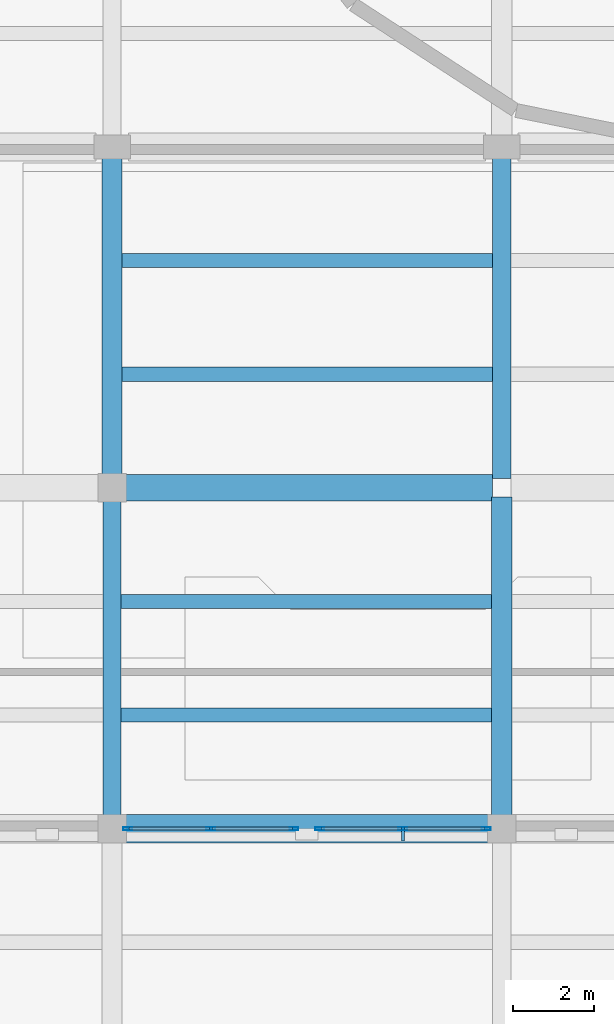
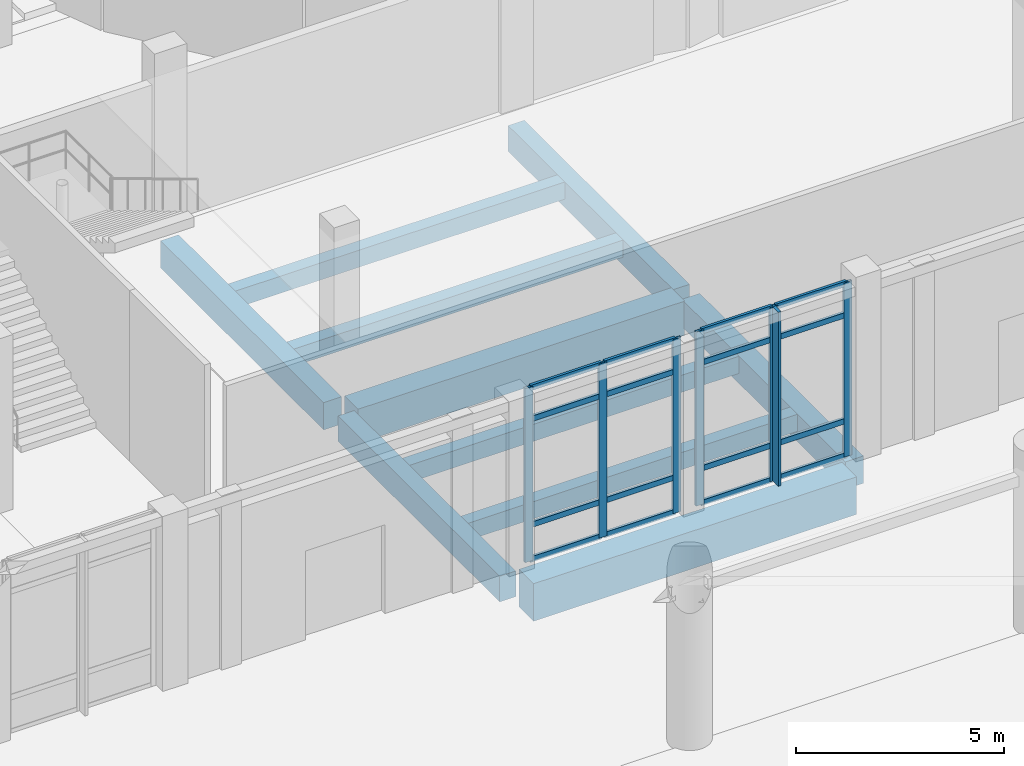
# One storey, part 22 of 71: 23 members, 10 beams, 2 elements without a shape of their own.
"""IFC4 building model written with IfcOpenShell, lengths in metres."""

from ifc_helpers import new_model, si_unit, direction, frame, origin, origin_2d, place, context, subcontext, project, spatial, rectangle, hollow_rectangle, extrude, material, layer, layer_set, material_profile, profile_set, type_object, element, aggregate, save


model = new_model("IFC4")

# Units and contexts
model_context = context("Model", 3, precision=1e-05, world=origin(), true_north=direction((0.0, 1.0)))
body_context = subcontext(model_context, "Body", "Model", "MODEL_VIEW")
ifc_project = project(units=[si_unit("LENGTHUNIT", "METRE"), si_unit("AREAUNIT", "SQUARE_METRE"), si_unit("VOLUMEUNIT", "CUBIC_METRE"), si_unit("PLANEANGLEUNIT", "RADIAN"), si_unit("MASSUNIT", "GRAM", prefix="KILO")], contexts=[model_context])

# Site, building, storey
site_placement = place(None, origin())
site = spatial("IfcSite", under=ifc_project, at=site_placement, CompositionType="ELEMENT")
building_placement = place(site_placement, origin())
building = spatial("IfcBuilding", under=site, at=building_placement, Name="Lornevale Opera House", CompositionType="ELEMENT")
storey_placement = place(building_placement, origin())
storey = spatial("IfcBuildingStorey", under=building, at=storey_placement, Name="L01", CompositionType="ELEMENT", Elevation=0.0)

# Beams
ifc_material_1 = material(Name="Concrete 35 MPa (CSA A23.1 N)", Category="concrete")
ifc_material_profile_1 = material_profile(ifc_material_1, rectangle(XDim=0.449951171875, YDim=0.75, at=origin_2d()), Name="RC450x750")
ifc_profile_set_1 = profile_set([ifc_material_profile_1], Name="Concrete 35 MPa (CSA A23.1 N)")
beam_type_1 = type_object("IfcBeamType", Name="Concrete Floor Beam 450x750", PredefinedType="USERDEFINED", material=ifc_profile_set_1)
beam_1_placement = place(storey_placement, frame((67.199951171875, 17.125, -0.81494140625), z_axis=(0.0, 1.0, 0.0), x_axis=(-1.0, 0.0, 0.0)))
element("IfcBeam", 1, at=beam_1_placement, inside=storey, type_object=beam_type_1, Name="Concrete Floor Beam 450x750 1161", ObjectType="GIRDER", PredefinedType="USERDEFINED", context=body_context, shape_type="SweptSolid", body=[
    extrude(rectangle(XDim=0.449951171875, YDim=0.75, at=origin_2d()), origin(), (0.0, 0.0, 1.0), 7.75),
])
beam_2_placement = place(storey_placement, frame((76.800048828125, 25.425048828125, -0.81494140625), z_axis=(0.0, 1.0, 0.0), x_axis=(-1.0, 0.0, 0.0)))
element("IfcBeam", 2, at=beam_2_placement, inside=storey, type_object=beam_type_1, Name="Concrete Floor Beam 450x750 1176", ObjectType="GIRDER", PredefinedType="USERDEFINED", context=body_context, shape_type="SweptSolid", body=[
    extrude(rectangle(XDim=0.449951171875, YDim=0.75, at=origin_2d()), origin(), (0.0, 0.0, 1.0), 7.925048828125),
])
ifc_material_profile_2 = material_profile(ifc_material_1, rectangle(XDim=0.5, YDim=0.800048828125, at=origin_2d()), Name="RC500x800")
ifc_profile_set_2 = profile_set([ifc_material_profile_2], Name="Concrete 35 MPa (CSA A23.1 N)")
beam_type_2 = type_object("IfcBeamType", Name="Concrete Floor Beam 500x800", PredefinedType="USERDEFINED", material=ifc_profile_set_2)
beam_3_placement = place(storey_placement, frame((67.199951171875, 25.52490234375, -0.840087890625), z_axis=(0.0, 1.0, 0.0), x_axis=(-1.0, 0.0, 0.0)))
element("IfcBeam", 3, at=beam_3_placement, inside=storey, type_object=beam_type_2, Name="Concrete Floor Beam 500x800 1162", ObjectType="GIRDER", PredefinedType="USERDEFINED", context=body_context, shape_type="SweptSolid", body=[
    extrude(rectangle(XDim=0.5, YDim=0.800048828125, at=origin_2d()), origin(), (0.0, 0.0, 1.0), 7.8251953125),
])
beam_4_placement = place(storey_placement, frame((76.800048828125, 17.125, -0.840087890625), z_axis=(0.0, 1.0, 0.0), x_axis=(-1.0, 0.0, 0.0)))
element("IfcBeam", 4, at=beam_4_placement, inside=storey, type_object=beam_type_2, Name="Concrete Floor Beam 500x800 1175", ObjectType="GIRDER", PredefinedType="USERDEFINED", context=body_context, shape_type="SweptSolid", body=[
    extrude(rectangle(XDim=0.5, YDim=0.800048828125, at=origin_2d()), origin(), (0.0, 0.0, 1.0), 7.85009765625),
])
ifc_material_2 = material(Name="Concrete 40 MPa (CSA A23.1 C-1)", Category="concrete")
ifc_material_profile_3 = material_profile(ifc_material_2, rectangle(XDim=0.64990234375, YDim=1.0, at=origin_2d()), Name="RC650x1000")
ifc_profile_set_3 = profile_set([ifc_material_profile_3], Name="Concrete 40 MPa (CSA A23.1 C-1)")
beam_type_3 = type_object("IfcBeamType", Name="Concrete Primary Girder 650x1000", PredefinedType="USERDEFINED", material=ifc_profile_set_3)
beam_5_placement = place(storey_placement, frame((67.52490234375, 25.199951171875, -0.93994140625), z_axis=(1.0, 0.0, 0.0), x_axis=(0.0, 1.0, 0.0)))
element("IfcBeam", 5, at=beam_5_placement, inside=storey, type_object=beam_type_3, Name="Concrete Primary Girder 650x1000 0896", ObjectType="GIRDER", PredefinedType="USERDEFINED", context=body_context, shape_type="SweptSolid", body=[
    extrude(rectangle(XDim=0.64990234375, YDim=1.0, at=origin_2d()), origin(), (0.0, 0.0, 1.0), 9.050048828125),
])
ifc_material_profile_4 = material_profile(ifc_material_2, rectangle(XDim=0.699951171875, YDim=1.10009765625, at=origin_2d()), Name="RC700x1100")
ifc_profile_set_4 = profile_set([ifc_material_profile_4], Name="Concrete 40 MPa (CSA A23.1 C-1)")
beam_type_4 = type_object("IfcBeamType", Name="Concrete Primary Girder 700x1100", PredefinedType="USERDEFINED", material=ifc_profile_set_4)
beam_6_placement = place(storey_placement, frame((67.52490234375, 16.800048828125, -0.989990234375), z_axis=(1.0, 0.0, 0.0), x_axis=(0.0, 1.0, 0.0)))
element("IfcBeam", 6, at=beam_6_placement, inside=storey, type_object=beam_type_4, Name="Concrete Primary Girder 700x1100 0879", ObjectType="GIRDER", PredefinedType="USERDEFINED", context=body_context, shape_type="SweptSolid", body=[
    extrude(rectangle(XDim=0.699951171875, YDim=1.10009765625, at=origin_2d()), origin(), (0.0, 0.0, 1.0), 8.9501953125),
])
ifc_material_profile_5 = material_profile(ifc_material_1, rectangle(XDim=0.35009765625, YDim=0.5, at=origin_2d()), Name="RC350x500")
ifc_profile_set_5 = profile_set([ifc_material_profile_5], Name="Concrete 35 MPa (CSA A23.1 N)")
beam_type_5 = type_object("IfcBeamType", Name="Concrete Secondary Rib 350x500", PredefinedType="JOIST", material=ifc_profile_set_5)
for number, where, z_axis, x_axis, name in (
    (7, (67.425048828125, 19.60009765625, -0.68994140625), (1.0, 0.0, 0.0), (0.0, 1.0, 0.0), "Concrete Secondary Rib 350x500 1465"),
    (8, (67.425048828125, 22.39990234375, -0.68994140625), (1.0, 0.0, 0.0), (0.0, 1.0, 0.0), "Concrete Secondary Rib 350x500 1466"),
    (9, (67.449951171875, 28.0, -0.68994140625), (1.0, 0.0, 0.0), (0.0, 1.0, 0.0), "Concrete Secondary Rib 350x500 1467"),
    (10, (67.449951171875, 30.800048828125, -0.68994140625), (1.0, 0.0, 0.0), (0.0, 1.0, 0.0), "Concrete Secondary Rib 350x500 1468"),
):
    element("IfcBeam", number, at=place(storey_placement, frame(where, z_axis=z_axis, x_axis=x_axis)), inside=storey, type_object=beam_type_5, Name=name, PredefinedType="JOIST", context=body_context, shape_type="SweptSolid", body=[
        extrude(rectangle(XDim=0.35009765625, YDim=0.5, at=origin_2d()), origin(), (0.0, 0.0, 1.0), 9.125),
    ])

# Curtain wall, members
ifc_material_3 = material(Name="Anodized Oxide-Green Aluminium Framing", Category="aluminium")
ifc_layer = layer(ifc_material_3, 0.215087890625)
ifc_layer_set = layer_set([ifc_layer], Name="Anodized Oxide-Green Aluminium Framing")
curtain_wall_type = type_object("IfcCurtainWallType", Name="Grand Foyer Curtain Wall M2000", PredefinedType="NOTDEFINED", material=ifc_layer_set)
curtain_wall_1_placement = place(storey_placement, origin())
curtain_wall_1 = element("IfcCurtainWall", 11, at=curtain_wall_1_placement, inside=storey, type_object=curtain_wall_type, Name="Grand Foyer Curtain Wall M2000 CW-013", PredefinedType="NOTDEFINED")
ifc_material_profile_6 = material_profile(ifc_material_3, hollow_rectangle(XDim=0.074951171875, YDim=0.219970703125, WallThickness=0.0048828125, at=origin_2d()), Name="ALU75x220x5")
ifc_profile_set_6 = profile_set([ifc_material_profile_6], Name="Anodized Oxide-Green Aluminium Framing")
member_type_1 = type_object("IfcMemberType", Name="Curtain Wall Mullion 75x220", PredefinedType="MULLION", material=ifc_profile_set_6)
member_1_placement = place(storey_placement, frame((76.41650390625, 16.800048828125, 0.0), z_axis=(0.0, 0.0, 1.0), x_axis=(0.0, -1.0, 0.0)))
member_1 = element("IfcMember", 12, at=member_1_placement, type_object=member_type_1, Name="Curtain Wall Mullion 75x220 CW0205", PredefinedType="MULLION", context=body_context, shape_type="SweptSolid", body=[
    extrude(hollow_rectangle(XDim=0.074951171875, YDim=0.219970703125, WallThickness=0.0048828125, at=origin_2d()), origin(), (0.0, 0.0, 1.0), 5.10009765625),
])
member_2_placement = place(storey_placement, frame((74.366943359375, 16.800048828125, 0.0), z_axis=(0.0, 0.0, 1.0), x_axis=(0.0, -1.0, 0.0)))
member_2 = element("IfcMember", 13, at=member_2_placement, type_object=member_type_1, Name="Curtain Wall Mullion 75x220 CW0206", PredefinedType="MULLION", context=body_context, shape_type="SweptSolid", body=[
    extrude(hollow_rectangle(XDim=0.074951171875, YDim=0.219970703125, WallThickness=0.0048828125, at=origin_2d()), origin(), (0.0, 0.0, 1.0), 5.10009765625),
])
member_3_placement = place(storey_placement, frame((72.3173828125, 16.800048828125, 0.0), z_axis=(0.0, 0.0, 1.0), x_axis=(0.0, -1.0, 0.0)))
member_3 = element("IfcMember", 14, at=member_3_placement, type_object=member_type_1, Name="Curtain Wall Mullion 75x220 CW0207", PredefinedType="MULLION", context=body_context, shape_type="SweptSolid", body=[
    extrude(hollow_rectangle(XDim=0.074951171875, YDim=0.219970703125, WallThickness=0.0048828125, at=origin_2d()), origin(), (0.0, 0.0, 1.0), 5.10009765625),
])

curtain_wall_2_placement = place(storey_placement, origin())
curtain_wall_2 = element("IfcCurtainWall", 15, at=curtain_wall_2_placement, inside=storey, type_object=curtain_wall_type, Name="Grand Foyer Curtain Wall M2000 CW-014", PredefinedType="NOTDEFINED")
member_4_placement = place(storey_placement, frame((71.6826171875, 16.800048828125, 0.0), z_axis=(0.0, 0.0, 1.0), x_axis=(0.0, -1.0, 0.0)))
member_4 = element("IfcMember", 16, at=member_4_placement, type_object=member_type_1, Name="Curtain Wall Mullion 75x220 CW0222", PredefinedType="MULLION", context=body_context, shape_type="SweptSolid", body=[
    extrude(hollow_rectangle(XDim=0.074951171875, YDim=0.219970703125, WallThickness=0.0048828125, at=origin_2d()), origin(), (0.0, 0.0, 1.0), 5.10009765625),
])
member_5_placement = place(storey_placement, frame((69.633056640625, 16.800048828125, 0.0), z_axis=(0.0, 0.0, 1.0), x_axis=(0.0, -1.0, 0.0)))
member_5 = element("IfcMember", 17, at=member_5_placement, type_object=member_type_1, Name="Curtain Wall Mullion 75x220 CW0223", PredefinedType="MULLION", context=body_context, shape_type="SweptSolid", body=[
    extrude(hollow_rectangle(XDim=0.074951171875, YDim=0.219970703125, WallThickness=0.0048828125, at=origin_2d()), origin(), (0.0, 0.0, 1.0), 5.10009765625),
])
member_6_placement = place(storey_placement, frame((67.58349609375, 16.800048828125, 0.0), z_axis=(0.0, 0.0, 1.0), x_axis=(0.0, -1.0, 0.0)))
member_6 = element("IfcMember", 18, at=member_6_placement, type_object=member_type_1, Name="Curtain Wall Mullion 75x220 CW0224", PredefinedType="MULLION", context=body_context, shape_type="SweptSolid", body=[
    extrude(hollow_rectangle(XDim=0.074951171875, YDim=0.219970703125, WallThickness=0.0048828125, at=origin_2d()), origin(), (0.0, 0.0, 1.0), 5.10009765625),
])

# Member
ifc_material_profile_7 = material_profile(ifc_material_3, hollow_rectangle(XDim=0.074951171875, YDim=0.159912109375, WallThickness=0.0048828125, at=origin_2d()), Name="ALU75x160x5")
ifc_profile_set_7 = profile_set([ifc_material_profile_7], Name="Anodized Oxide-Green Aluminium Framing")
member_type_2 = type_object("IfcMemberType", Name="Curtain Wall Transom 75x160", PredefinedType="USERDEFINED", material=ifc_profile_set_7)
member_7_placement = place(storey_placement, frame((76.37890625, 16.800048828125, 0.03759765625), z_axis=(-1.0, 0.0, 0.0), x_axis=(0.0, -1.0, 0.0)))
member_7 = element("IfcMember", 19, at=member_7_placement, type_object=member_type_2, Name="Curtain Wall Transom 75x160 CW0208", ObjectType="TRANSOM", PredefinedType="USERDEFINED", context=body_context, shape_type="SweptSolid", body=[
    extrude(hollow_rectangle(XDim=0.074951171875, YDim=0.159912109375, WallThickness=0.0048828125, at=origin_2d()), origin(), (0.0, 0.0, 1.0), 1.974365234375),
])

member_8_placement = place(storey_placement, frame((76.37890625, 16.800048828125, 1.050048828125), z_axis=(-1.0, 0.0, 0.0), x_axis=(0.0, -1.0, 0.0)))
member_8 = element("IfcMember", 20, at=member_8_placement, type_object=member_type_2, Name="Curtain Wall Transom 75x160 CW0209", ObjectType="TRANSOM", PredefinedType="USERDEFINED", context=body_context, shape_type="SweptSolid", body=[
    extrude(hollow_rectangle(XDim=0.074951171875, YDim=0.159912109375, WallThickness=0.0048828125, at=origin_2d()), origin(), (0.0, 0.0, 1.0), 1.974365234375),
])

member_9_placement = place(storey_placement, frame((76.37890625, 16.800048828125, 4.14990234375), z_axis=(-1.0, 0.0, 0.0), x_axis=(0.0, -1.0, 0.0)))
member_9 = element("IfcMember", 21, at=member_9_placement, type_object=member_type_2, Name="Curtain Wall Transom 75x160 CW0210", ObjectType="TRANSOM", PredefinedType="USERDEFINED", context=body_context, shape_type="SweptSolid", body=[
    extrude(hollow_rectangle(XDim=0.074951171875, YDim=0.159912109375, WallThickness=0.0048828125, at=origin_2d()), origin(), (0.0, 0.0, 1.0), 1.974365234375),
])

member_10_placement = place(storey_placement, frame((76.37890625, 16.800048828125, 5.0625), z_axis=(-1.0, 0.0, 0.0), x_axis=(0.0, -1.0, 0.0)))
member_10 = element("IfcMember", 22, at=member_10_placement, type_object=member_type_2, Name="Curtain Wall Transom 75x160 CW0211", ObjectType="TRANSOM", PredefinedType="USERDEFINED", context=body_context, shape_type="SweptSolid", body=[
    extrude(hollow_rectangle(XDim=0.074951171875, YDim=0.159912109375, WallThickness=0.0048828125, at=origin_2d()), origin(), (0.0, 0.0, 1.0), 1.974365234375),
])

member_11_placement = place(storey_placement, frame((74.32958984375, 16.800048828125, 0.03759765625), z_axis=(-1.0, 0.0, 0.0), x_axis=(0.0, -1.0, 0.0)))
member_11 = element("IfcMember", 23, at=member_11_placement, type_object=member_type_2, Name="Curtain Wall Transom 75x160 CW0215", ObjectType="TRANSOM", PredefinedType="USERDEFINED", context=body_context, shape_type="SweptSolid", body=[
    extrude(hollow_rectangle(XDim=0.074951171875, YDim=0.159912109375, WallThickness=0.0048828125, at=origin_2d()), origin(), (0.0, 0.0, 1.0), 1.974609375),
])

member_12_placement = place(storey_placement, frame((74.32958984375, 16.800048828125, 1.050048828125), z_axis=(-1.0, 0.0, 0.0), x_axis=(0.0, -1.0, 0.0)))
member_12 = element("IfcMember", 24, at=member_12_placement, type_object=member_type_2, Name="Curtain Wall Transom 75x160 CW0216", ObjectType="TRANSOM", PredefinedType="USERDEFINED", context=body_context, shape_type="SweptSolid", body=[
    extrude(hollow_rectangle(XDim=0.074951171875, YDim=0.159912109375, WallThickness=0.0048828125, at=origin_2d()), origin(), (0.0, 0.0, 1.0), 1.974609375),
])

member_13_placement = place(storey_placement, frame((74.32958984375, 16.800048828125, 4.14990234375), z_axis=(-1.0, 0.0, 0.0), x_axis=(0.0, -1.0, 0.0)))
member_13 = element("IfcMember", 25, at=member_13_placement, type_object=member_type_2, Name="Curtain Wall Transom 75x160 CW0217", ObjectType="TRANSOM", PredefinedType="USERDEFINED", context=body_context, shape_type="SweptSolid", body=[
    extrude(hollow_rectangle(XDim=0.074951171875, YDim=0.159912109375, WallThickness=0.0048828125, at=origin_2d()), origin(), (0.0, 0.0, 1.0), 1.974609375),
])

member_14_placement = place(storey_placement, frame((74.32958984375, 16.800048828125, 5.0625), z_axis=(-1.0, 0.0, 0.0), x_axis=(0.0, -1.0, 0.0)))
member_14 = element("IfcMember", 26, at=member_14_placement, type_object=member_type_2, Name="Curtain Wall Transom 75x160 CW0218", ObjectType="TRANSOM", PredefinedType="USERDEFINED", context=body_context, shape_type="SweptSolid", body=[
    extrude(hollow_rectangle(XDim=0.074951171875, YDim=0.159912109375, WallThickness=0.0048828125, at=origin_2d()), origin(), (0.0, 0.0, 1.0), 1.974609375),
])

member_15_placement = place(storey_placement, frame((71.64501953125, 16.800048828125, 0.03759765625), z_axis=(-1.0, 0.0, 0.0), x_axis=(0.0, -1.0, 0.0)))
member_15 = element("IfcMember", 27, at=member_15_placement, type_object=member_type_2, Name="Curtain Wall Transom 75x160 CW0225", ObjectType="TRANSOM", PredefinedType="USERDEFINED", context=body_context, shape_type="SweptSolid", body=[
    extrude(hollow_rectangle(XDim=0.074951171875, YDim=0.159912109375, WallThickness=0.0048828125, at=origin_2d()), origin(), (0.0, 0.0, 1.0), 1.974609375),
])

member_16_placement = place(storey_placement, frame((71.64501953125, 16.800048828125, 1.050048828125), z_axis=(-1.0, 0.0, 0.0), x_axis=(0.0, -1.0, 0.0)))
member_16 = element("IfcMember", 28, at=member_16_placement, type_object=member_type_2, Name="Curtain Wall Transom 75x160 CW0226", ObjectType="TRANSOM", PredefinedType="USERDEFINED", context=body_context, shape_type="SweptSolid", body=[
    extrude(hollow_rectangle(XDim=0.074951171875, YDim=0.159912109375, WallThickness=0.0048828125, at=origin_2d()), origin(), (0.0, 0.0, 1.0), 1.974609375),
])

member_17_placement = place(storey_placement, frame((71.64501953125, 16.800048828125, 4.14990234375), z_axis=(-1.0, 0.0, 0.0), x_axis=(0.0, -1.0, 0.0)))
member_17 = element("IfcMember", 29, at=member_17_placement, type_object=member_type_2, Name="Curtain Wall Transom 75x160 CW0227", ObjectType="TRANSOM", PredefinedType="USERDEFINED", context=body_context, shape_type="SweptSolid", body=[
    extrude(hollow_rectangle(XDim=0.074951171875, YDim=0.159912109375, WallThickness=0.0048828125, at=origin_2d()), origin(), (0.0, 0.0, 1.0), 1.974609375),
])

member_18_placement = place(storey_placement, frame((71.64501953125, 16.800048828125, 5.0625), z_axis=(-1.0, 0.0, 0.0), x_axis=(0.0, -1.0, 0.0)))
member_18 = element("IfcMember", 30, at=member_18_placement, type_object=member_type_2, Name="Curtain Wall Transom 75x160 CW0228", ObjectType="TRANSOM", PredefinedType="USERDEFINED", context=body_context, shape_type="SweptSolid", body=[
    extrude(hollow_rectangle(XDim=0.074951171875, YDim=0.159912109375, WallThickness=0.0048828125, at=origin_2d()), origin(), (0.0, 0.0, 1.0), 1.974609375),
])

member_19_placement = place(storey_placement, frame((69.595458984375, 16.800048828125, 0.03759765625), z_axis=(-1.0, 0.0, 0.0), x_axis=(0.0, -1.0, 0.0)))
member_19 = element("IfcMember", 31, at=member_19_placement, type_object=member_type_2, Name="Curtain Wall Transom 75x160 CW0232", ObjectType="TRANSOM", PredefinedType="USERDEFINED", context=body_context, shape_type="SweptSolid", body=[
    extrude(hollow_rectangle(XDim=0.074951171875, YDim=0.159912109375, WallThickness=0.0048828125, at=origin_2d()), origin(), (0.0, 0.0, 1.0), 1.974365234375),
])

member_20_placement = place(storey_placement, frame((69.595458984375, 16.800048828125, 1.050048828125), z_axis=(-1.0, 0.0, 0.0), x_axis=(0.0, -1.0, 0.0)))
member_20 = element("IfcMember", 32, at=member_20_placement, type_object=member_type_2, Name="Curtain Wall Transom 75x160 CW0233", ObjectType="TRANSOM", PredefinedType="USERDEFINED", context=body_context, shape_type="SweptSolid", body=[
    extrude(hollow_rectangle(XDim=0.074951171875, YDim=0.159912109375, WallThickness=0.0048828125, at=origin_2d()), origin(), (0.0, 0.0, 1.0), 1.974365234375),
])

member_21_placement = place(storey_placement, frame((69.595458984375, 16.800048828125, 4.14990234375), z_axis=(-1.0, 0.0, 0.0), x_axis=(0.0, -1.0, 0.0)))
member_21 = element("IfcMember", 33, at=member_21_placement, type_object=member_type_2, Name="Curtain Wall Transom 75x160 CW0234", ObjectType="TRANSOM", PredefinedType="USERDEFINED", context=body_context, shape_type="SweptSolid", body=[
    extrude(hollow_rectangle(XDim=0.074951171875, YDim=0.159912109375, WallThickness=0.0048828125, at=origin_2d()), origin(), (0.0, 0.0, 1.0), 1.974365234375),
])

member_22_placement = place(storey_placement, frame((69.595458984375, 16.800048828125, 5.0625), z_axis=(-1.0, 0.0, 0.0), x_axis=(0.0, -1.0, 0.0)))
member_22 = element("IfcMember", 34, at=member_22_placement, type_object=member_type_2, Name="Curtain Wall Transom 75x160 CW0235", ObjectType="TRANSOM", PredefinedType="USERDEFINED", context=body_context, shape_type="SweptSolid", body=[
    extrude(hollow_rectangle(XDim=0.074951171875, YDim=0.159912109375, WallThickness=0.0048828125, at=origin_2d()), origin(), (0.0, 0.0, 1.0), 1.974365234375),
])

aggregate(curtain_wall_2, [member_4, member_5, member_6, member_15, member_16, member_17, member_18, member_19, member_20, member_21, member_22])

ifc_material_4 = material(Name="Architectural Bronze Solar Louvre Alloy", Category="metal")
ifc_material_profile_8 = material_profile(ifc_material_4, rectangle(XDim=0.080078125, YDim=0.360107421875, at=origin_2d()), Name="FIN80x360")
ifc_profile_set_8 = profile_set([ifc_material_profile_8], Name="Architectural Bronze Solar Louvre Alloy")
member_type_3 = type_object("IfcMemberType", Name="Solar Shading Fin 80x360", PredefinedType="USERDEFINED", material=ifc_profile_set_8)
member_23_placement = place(storey_placement, frame((74.366943359375, 16.674072265625, 0.0), z_axis=(0.0, 0.0, 1.0), x_axis=(-1.0, 0.0, 0.0)))
member_23 = element("IfcMember", 35, at=member_23_placement, type_object=member_type_3, Name="Solar Shading Fin 80x360 FIN0007", ObjectType="SOLAR FIN", PredefinedType="USERDEFINED", context=body_context, shape_type="SweptSolid", body=[
    extrude(rectangle(XDim=0.080078125, YDim=0.360107421875, at=origin_2d()), origin(), (0.0, 0.0, 1.0), 5.10009765625),
])

aggregate(curtain_wall_1, [member_1, member_2, member_3, member_7, member_8, member_9, member_10, member_11, member_12, member_13, member_14, member_23])

save(model, "model.ifc")
